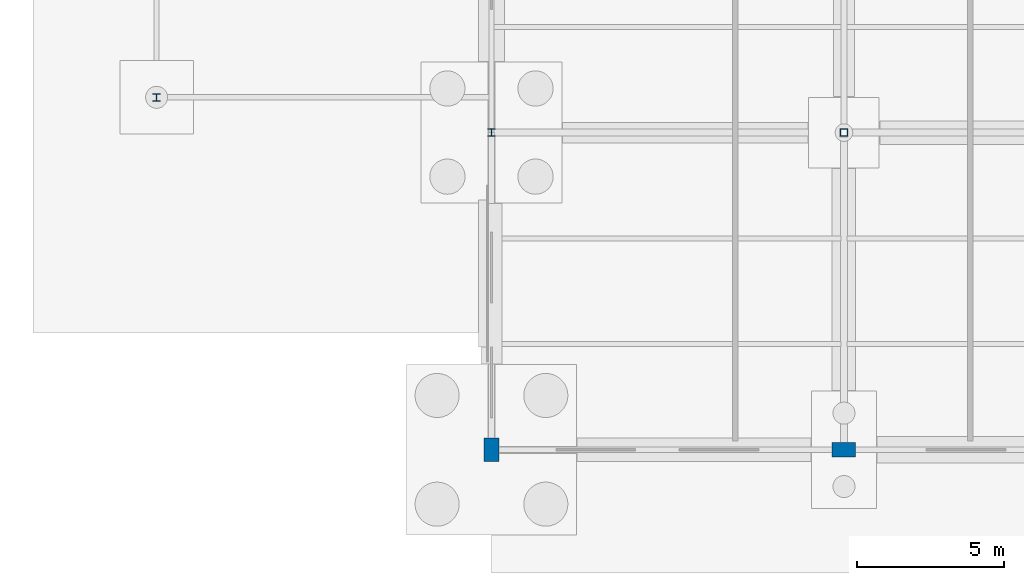
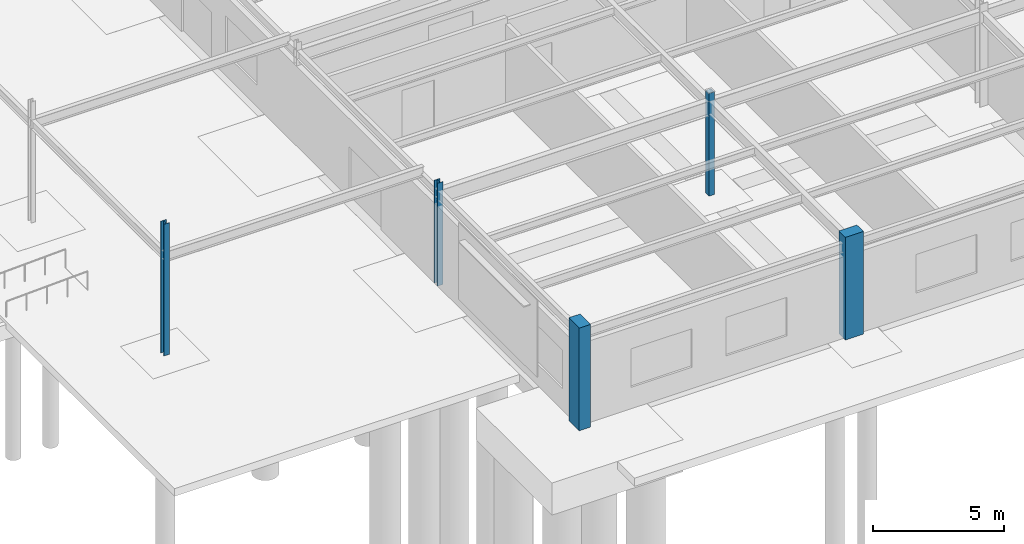
# One storey, part 11 of 136: 5 columns.
"""IFC4 building model written with IfcOpenShell, lengths in metres."""

import ifcopenshell
import ifcopenshell.guid

model = None  # the IFC model being written
_history = None  # IfcOwnerHistory: only IFC2X3 demands one
_inside = {}  # id of a spatial element -> (the spatial element, [elements in it])
_under = {}  # id of a project, library or spatial element -> (it, [spatial elements below it])
_declared = {}  # id of a project -> (the project, [libraries it declares])
_typed = {}  # id of a type object -> (the type object, [elements of that type])
_made_of = {}  # id of a material, layer set ... -> (it, [elements and type objects made of it])


def new_model(schema):
    """Start an empty IFC model of exactly this schema.

    Asked for "IFC4X3", IfcOpenShell would pick the latest addendum, in which some entities
    have other attributes; the version numbers below select the first issue.
    IFC2X3 requires an IfcOwnerHistory on every rooted entity: one is made here for all.
    """
    global model, _history
    if schema == "IFC4X3":
        model = ifcopenshell.file(schema_version=(4, 3, 0, 0))
    else:
        model = ifcopenshell.file(schema=schema)
    _inside.clear()
    _under.clear()
    _declared.clear()
    _typed.clear()
    _made_of.clear()
    _history = None
    if model.schema == "IFC2X3":
        org = make("IfcOrganization", Name="unknown")
        user = make(
            "IfcPersonAndOrganization",
            ThePerson=make("IfcPerson", FamilyName="unknown"),
            TheOrganization=org,
        )
        app = make(
            "IfcApplication",
            ApplicationDeveloper=org,
            Version="unknown",
            ApplicationFullName="unknown",
            ApplicationIdentifier="unknown",
        )
        _history = make(
            "IfcOwnerHistory",
            OwningUser=user,
            OwningApplication=app,
            ChangeAction="ADDED",
            CreationDate=0,
        )
    return model


def make(cls, **values):
    """One entity of the class cls with the attributes given. An attribute that is None is left unset."""
    return model.create_entity(
        cls, **{name: value for name, value in values.items() if value is not None}
    )


def rooted(cls, **values):
    """An entity with a GlobalId (a new one), such as an element, a storey or a relation."""
    return make(cls, GlobalId=ifcopenshell.guid.new(), OwnerHistory=_history, **values)


def si_unit(unit_type, name, prefix=None):
    """IfcSIUnit, for example si_unit("LENGTHUNIT", "METRE", prefix="MILLI")."""
    return make("IfcSIUnit", UnitType=unit_type, Prefix=prefix, Name=name)


def assignment(units):
    """IfcUnitAssignment: the units of a project."""
    return None if units is None else make("IfcUnitAssignment", Units=units)


def point(xyz):
    """IfcCartesianPoint."""
    return None if xyz is None else make("IfcCartesianPoint", Coordinates=xyz)


def direction(xyz):
    """IfcDirection."""
    return None if xyz is None else make("IfcDirection", DirectionRatios=xyz)


def frame(location, z_axis=None, x_axis=None):
    """IfcAxis2Placement3D, a coordinate frame: its origin and axes. An axis left out is left unset."""
    return make(
        "IfcAxis2Placement3D",
        Location=point(location),
        Axis=direction(z_axis),
        RefDirection=direction(x_axis),
    )


def frame_2d(location, x_axis=None):
    """IfcAxis2Placement2D, a coordinate frame in the plane: its origin and x axis."""
    return make(
        "IfcAxis2Placement2D", Location=point(location), RefDirection=direction(x_axis)
    )


def origin():
    """The frame at (0, 0, 0) with its axes left unset."""
    return frame((0.0, 0.0, 0.0))


def origin_2d():
    """The frame at (0, 0) in the plane with its x axis left unset."""
    return frame_2d((0.0, 0.0))


def place(relative_to, where):
    """IfcLocalPlacement: puts the frame where relative to a parent placement (None: the world)."""
    return make(
        "IfcLocalPlacement", PlacementRelTo=relative_to, RelativePlacement=where
    )


def context(
    kind, dimensions, precision=None, world=None, true_north=None, identifier=None
):
    """IfcGeometricRepresentationContext, for example the 3D "Model" context."""
    return make(
        "IfcGeometricRepresentationContext",
        ContextIdentifier=identifier,
        ContextType=kind,
        CoordinateSpaceDimension=dimensions,
        Precision=precision,
        WorldCoordinateSystem=world,
        TrueNorth=true_north,
    )


def subcontext(parent, identifier, kind, view, scale=None):
    """IfcGeometricRepresentationSubContext, for example "Body" below "Model"."""
    return make(
        "IfcGeometricRepresentationSubContext",
        ContextIdentifier=identifier,
        ContextType=kind,
        ParentContext=parent,
        TargetScale=scale,
        TargetView=view,
    )


def project(units=None, contexts=None):
    """IfcProject with its units and contexts."""
    return rooted(
        "IfcProject",
        Name="project",
        RepresentationContexts=contexts,
        UnitsInContext=assignment(units),
    )


def spatial(cls, under=None, at=None, **own):
    """A site, building, storey or space (cls), placed at a placement, below another one or the project."""
    s = rooted(cls, ObjectPlacement=at, **own)
    if under is not None:
        _under.setdefault(under.id(), (under, []))[1].append(s)
    return s


def profile(cls, at=None, kind="AREA", **sizes):
    """A parametric profile (cls). Its sizes go by their IFC names, for example OverallWidth=200.0."""
    return make(cls, ProfileType=kind, Position=at, **sizes)


def rectangle(**sizes):
    """IfcRectangleProfileDef."""
    return profile("IfcRectangleProfileDef", **sizes)


def hollow_rectangle(**sizes):
    """IfcRectangleHollowProfileDef."""
    return profile("IfcRectangleHollowProfileDef", **sizes)


def i_section(**sizes):
    """IfcIShapeProfileDef."""
    return profile("IfcIShapeProfileDef", **sizes)


def extrude(swept, where, along, depth):
    """IfcExtrudedAreaSolid: the profile swept, set in the frame where, extruded along a direction by depth."""
    return make(
        "IfcExtrudedAreaSolid",
        SweptArea=swept,
        Position=where,
        ExtrudedDirection=direction(along),
        Depth=depth,
    )


def shape(context_of_items, identifier, shape_type, items):
    """IfcShapeRepresentation: the items that make up one representation, for example the "Body"."""
    return make(
        "IfcShapeRepresentation",
        ContextOfItems=context_of_items,
        RepresentationIdentifier=identifier,
        RepresentationType=shape_type,
        Items=items,
    )


def material(Name=None, Category=None):
    """IfcMaterial."""
    return make("IfcMaterial", Name=Name, Category=Category)


def material_profile(
    of_material, cross_section, Name=None, Category=None, Priority=None
):
    """IfcMaterialProfile: a cross section and its material."""
    return make(
        "IfcMaterialProfile",
        Name=Name,
        Material=of_material,
        Profile=cross_section,
        Priority=Priority,
        Category=Category,
    )


def profile_set(profiles, Name=None, composite=None):
    """IfcMaterialProfileSet."""
    return make(
        "IfcMaterialProfileSet",
        Name=Name,
        MaterialProfiles=profiles,
        CompositeProfile=composite,
    )


def made_of(thing, what):
    """Note that an element or type object is made of a material, layer set ...; save() writes the relation."""
    if what is not None:
        _made_of.setdefault(what.id(), (what, []))[1].append(thing)
    return thing


def type_object(cls, material=None, **own):
    """A type object (cls), such as IfcWallType, which elements share."""
    return made_of(rooted(cls, **own), material)


def element(
    cls,
    number,
    at=None,
    inside=None,
    cuts=None,
    type_object=None,
    material=None,
    context=None,
    identifier="Body",
    shape_type=None,
    held_by="IfcProductDefinitionShape",
    body=None,
    shapes=None,
    **own,
):
    """One element of the class cls, such as IfcWall. Its Tag is "e" and its number.

    at: its placement. inside: the storey or other place that contains it. cuts: it is an
    opening in that element (IfcRelVoidsElement). A single representation is given by context,
    identifier, shape_type and body (its items); several are given by shapes. held_by: the class
    of the entity that holds the representations. save() writes the other relations.
    """
    e = rooted(cls, Tag="e%d" % number, ObjectPlacement=at, **own)
    if body is not None:
        shapes = [shape(context, identifier, shape_type, body)]
    if shapes is not None:
        e.Representation = make(held_by, Representations=shapes)
    if inside is not None:
        _inside.setdefault(inside.id(), (inside, []))[1].append(e)
    if cuts is not None:
        rooted(
            "IfcRelVoidsElement", RelatingBuildingElement=cuts, RelatedOpeningElement=e
        )
    if type_object is not None:
        _typed.setdefault(type_object.id(), (type_object, []))[1].append(e)
    return made_of(e, material)


def aggregate(whole, parts):
    """IfcRelAggregates: a whole, such as a stair, and the parts it consists of."""
    return rooted("IfcRelAggregates", RelatingObject=whole, RelatedObjects=parts)


def save(model, path):
    """Write the relations noted so far, then the file.

    IfcRelAggregates (storeys below a building ...), IfcRelContainedInSpatialStructure (elements
    in a storey), IfcRelDefinesByType, IfcRelAssociatesMaterial and IfcRelDeclares: one each for
    every whole, place, type object, material and project.
    """
    for whole, parts in _under.values():
        aggregate(whole, parts)
    for where, things in _inside.values():
        rooted(
            "IfcRelContainedInSpatialStructure",
            RelatedElements=things,
            RelatingStructure=where,
        )
    for kind, things in _typed.values():
        rooted("IfcRelDefinesByType", RelatedObjects=things, RelatingType=kind)
    for what, things in _made_of.values():
        rooted("IfcRelAssociatesMaterial", RelatedObjects=things, RelatingMaterial=what)
    for by, libraries in _declared.values():
        rooted("IfcRelDeclares", RelatingContext=by, RelatedDefinitions=libraries)
    model.write(path)


model = new_model("IFC4")

# Units and contexts
model_context = context("Model", 3, precision=1e-05, world=origin(), true_north=direction((0.0, 1.0)))
body_context = subcontext(model_context, "Body", "Model", "MODEL_VIEW")
ifc_project = project(units=[si_unit("LENGTHUNIT", "METRE"), si_unit("AREAUNIT", "SQUARE_METRE"), si_unit("VOLUMEUNIT", "CUBIC_METRE"), si_unit("PLANEANGLEUNIT", "RADIAN"), si_unit("MASSUNIT", "GRAM", prefix="KILO")], contexts=[model_context])

# Site, building, storey
site_placement = place(None, origin())
site = spatial("IfcSite", under=ifc_project, at=site_placement, CompositionType="ELEMENT")
building_placement = place(site_placement, origin())
building = spatial("IfcBuilding", under=site, at=building_placement, Name="Tarnwether General Hospital", CompositionType="ELEMENT")
storey_placement = place(building_placement, frame((0.0, 0.0, -4.800048828125)))
storey = spatial("IfcBuildingStorey", under=building, at=storey_placement, Name="LG", CompositionType="ELEMENT", Elevation=-4.800048828125)

# Columns
ifc_material_1 = material(Name="Steel Grade C350L0 (350 MPa)", Category="steel")
ifc_material_profile_1 = material_profile(ifc_material_1, hollow_rectangle(XDim=0.25, YDim=0.25, WallThickness=0.012451171875, at=origin_2d()), Name="SHS250x250x12.5")
ifc_profile_set_1 = profile_set([ifc_material_profile_1], Name="Steel Grade C350L0 (350 MPa)")
column_type_1 = type_object("IfcColumnType", Name="COL-14", PredefinedType="COLUMN", material=ifc_profile_set_1)
column_1_placement = place(storey_placement, frame((12.0, 10.800048828125, 0.0), z_axis=(0.0, 0.0, 1.0), x_axis=(0.0, 1.0, 0.0)))
element("IfcColumn", 1, at=column_1_placement, inside=storey, type_object=column_type_1, Name="Column COLG-LG-1200_1080", PredefinedType="COLUMN", context=body_context, shape_type="SweptSolid", body=[
    extrude(hollow_rectangle(XDim=0.25, YDim=0.25, WallThickness=0.012451171875, at=origin_2d()), origin(), (0.0, 0.0, 1.0), 4.800048828125),
])
ifc_material_2 = material(Name="Concrete 50 MPa", Category="concrete")
ifc_material_profile_2 = material_profile(ifc_material_2, rectangle(XDim=0.5, YDim=0.800048828125, at=origin_2d()), Name="RC-PIL-500x800")
ifc_profile_set_2 = profile_set([ifc_material_profile_2], Name="Concrete 50 MPa")
column_type_2 = type_object("IfcColumnType", Name="COL-23", PredefinedType="PILASTER", material=ifc_profile_set_2)
for number, where, z_axis, x_axis, name in (
    (2, (0.0, 0.0, 0.0), (0.0, 0.0, 1.0), (1.0, 0.0, 0.0), "Column COLG-LG-0_0"),
    (3, (12.0, 0.0, 0.0), (0.0, 0.0, 1.0), (0.0, 1.0, 0.0), "Column COLG-LG-1200_0"),
):
    element("IfcColumn", number, at=place(storey_placement, frame(where, z_axis=z_axis, x_axis=x_axis)), inside=storey, type_object=column_type_2, Name=name, PredefinedType="PILASTER", context=body_context, shape_type="SweptSolid", body=[
        extrude(rectangle(XDim=0.5, YDim=0.800048828125, at=origin_2d()), origin(), (0.0, 0.0, 1.0), 4.800048828125),
    ])
ifc_material_3 = material(Name="Steel Grade 350 (350 MPa)", Category="steel")
ifc_material_profile_3 = material_profile(ifc_material_3, i_section(OverallWidth=0.25390625, OverallDepth=0.25390625, WebThickness=0.008544921875, FlangeThickness=0.01416015625, at=origin_2d()), Name="250UC72.9")
ifc_profile_set_3 = profile_set([ifc_material_profile_3], Name="Steel Grade 350 (350 MPa)")
column_type_3 = type_object("IfcColumnType", Name="COL-24", PredefinedType="COLUMN", material=ifc_profile_set_3)
column_2_placement = place(storey_placement, frame((0.0, 10.800048828125, 0.0), z_axis=(0.0, 0.0, 1.0), x_axis=(1.0, 0.0, 0.0)))
element("IfcColumn", 4, at=column_2_placement, inside=storey, type_object=column_type_3, Name="Column COLG-LG-0_1080", PredefinedType="COLUMN", context=body_context, shape_type="SweptSolid", body=[
    extrude(i_section(OverallWidth=0.25390625, OverallDepth=0.25390625, WebThickness=0.008544921875, FlangeThickness=0.01416015625, at=origin_2d()), origin(), (0.0, 0.0, 1.0), 4.800048828125),
])
column_3_placement = place(storey_placement, frame((-11.39990234375, 12.0, 0.0), z_axis=(0.0, 0.0, 1.0), x_axis=(1.0, 0.0, 0.0)))
element("IfcColumn", 5, at=column_3_placement, inside=storey, type_object=column_type_3, Name="Column COLG-LG--1140_1200", PredefinedType="COLUMN", context=body_context, shape_type="SweptSolid", body=[
    extrude(i_section(OverallWidth=0.25390625, OverallDepth=0.25390625, WebThickness=0.008544921875, FlangeThickness=0.01416015625, at=origin_2d()), origin(), (0.0, 0.0, 1.0), 6.150146484375),
])

save(model, "model.ifc")
